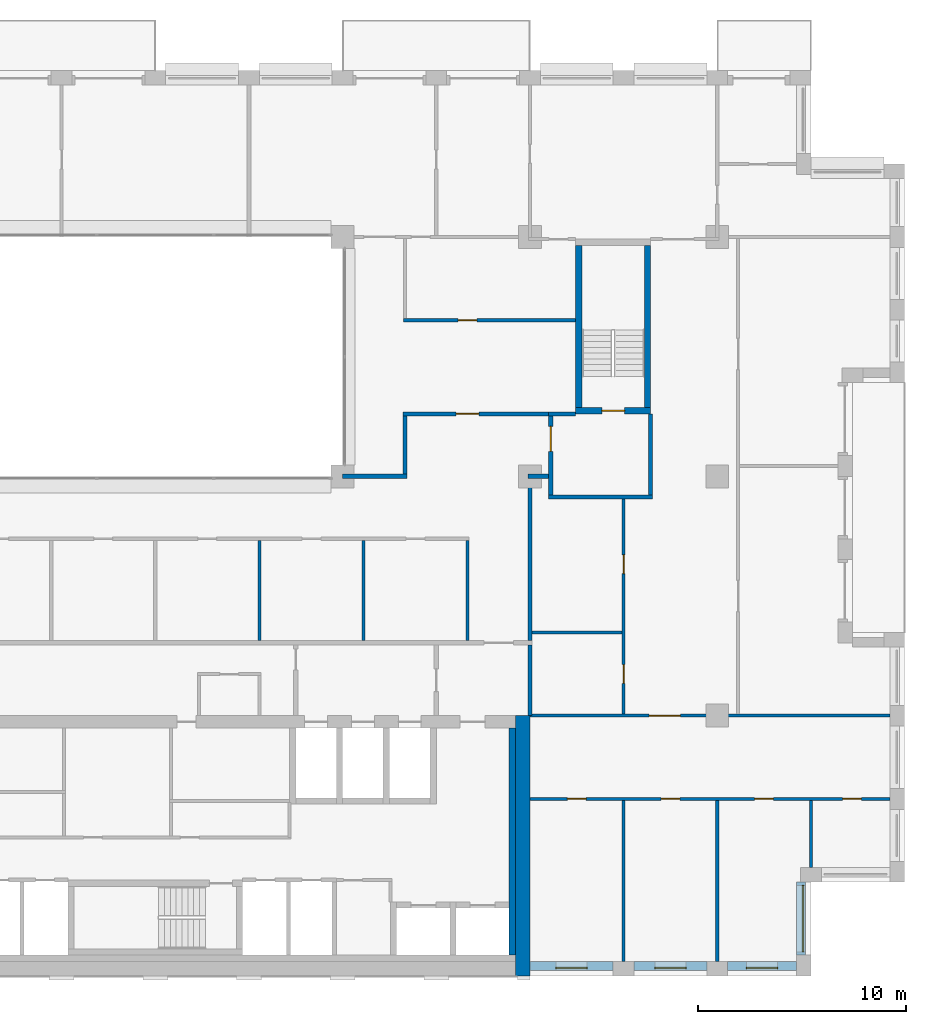
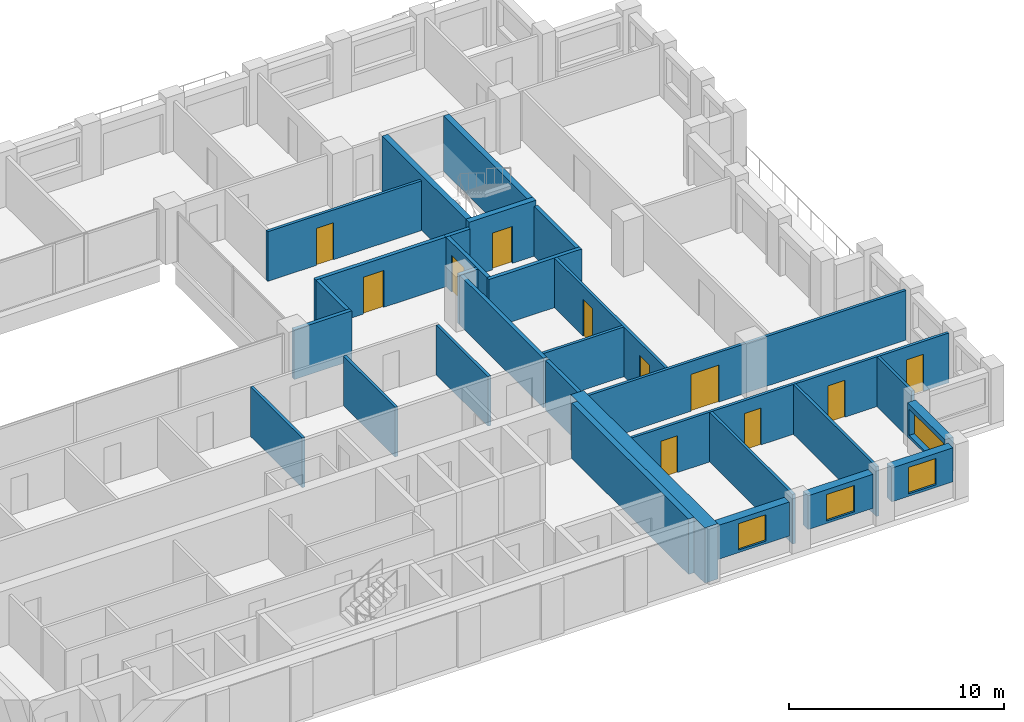
# One storey, part 11 of 15: 30 walls, 11 doors, 4 windows, 15 openings.
"""IFC4 building model written with IfcOpenShell, lengths in metres."""

from ifc_helpers import new_model, si_unit, direction, frame, frame_2d, origin, place, context, subcontext, project, spatial, rectangle, extrude, material, layer, layer_set, type_object, element, fill, save


model = new_model("IFC4")

# Units and contexts
model_context = context("Model", 3, precision=1e-05, world=origin(), true_north=direction((0.0, 1.0)))
body_context = subcontext(model_context, "Body", "Model", "MODEL_VIEW")
ifc_project = project(units=[si_unit("LENGTHUNIT", "METRE"), si_unit("AREAUNIT", "SQUARE_METRE"), si_unit("VOLUMEUNIT", "CUBIC_METRE"), si_unit("PLANEANGLEUNIT", "RADIAN"), si_unit("MASSUNIT", "GRAM", prefix="KILO")], contexts=[model_context])

# Site, building, storey
site_placement = place(None, origin())
site = spatial("IfcSite", under=ifc_project, at=site_placement, CompositionType="ELEMENT")
building_placement = place(site_placement, origin())
building = spatial("IfcBuilding", under=site, at=building_placement, Name="Brigalow Station Residences", CompositionType="ELEMENT")
storey_placement = place(building_placement, frame((0.0, 0.0, 153.89990234375)))
storey = spatial("IfcBuildingStorey", under=building, at=storey_placement, Name="L44", CompositionType="ELEMENT", Elevation=153.89990234375)

# Wall, opening, window
ifc_material_1 = material(Name="Clay brick masonry", Category="masonry")
ifc_layer_1 = layer(ifc_material_1, 0.449951171875)
ifc_layer_set_1 = layer_set([ifc_layer_1], Name="BRICK INFILL WALL 450")
wall_type_1 = type_object("IfcWallType", Name="BRICK INFILL WALL 450", PredefinedType="SOLIDWALL", material=ifc_layer_set_1)
wall_1_placement = place(storey_placement, frame((54.0, 0.47509765625, 0.900146484375), z_axis=(0.0, 0.0, 1.0), x_axis=(1.0, 0.0, 0.0)))
wall_1 = element("IfcWall", 1, at=wall_1_placement, inside=storey, type_object=wall_type_1, Name="L44/ewall/W-L44-4", PredefinedType="SOLIDWALL", context=body_context, shape_type="SweptSolid", body=[
    extrude(rectangle(XDim=4.0, YDim=0.449951171875, at=frame_2d((2.0, 0.0))), origin(), (0.0, 0.0, 1.0), 1.929931640625),
])
opening_1_placement = place(wall_1_placement, frame((1.25, 0.0, 0.14990234375)))
opening_1 = element("IfcOpeningElement", 2, at=opening_1_placement, cuts=wall_1, Name="Opening WT-1", PredefinedType="OPENING", context=body_context, shape_type="SweptSolid", body=[
    extrude(rectangle(XDim=1.5, YDim=1.5, at=frame_2d((0.75, 0.75))), frame((0.0, 0.23486328125, 0.0), z_axis=(0.0, -1.0, 0.0), x_axis=(1.0, 0.0, 0.0)), (0.0, 0.0, 1.0), 0.469970703125),
])
ifc_material_2 = material(Name="Anodised aluminium frame with double glazing", Category="aluminium")
window_type_1 = type_object("IfcWindowType", Name="WINDOW 1500x1500", PartitioningType="SINGLE_PANEL", PredefinedType="WINDOW", material=ifc_material_2)
window_1_placement = place(opening_1_placement, origin())
window_1 = element("IfcWindow", 3, at=window_1_placement, inside=storey, type_object=window_type_1, Name="L44/window/W-L44-4", OverallHeight=1.5, OverallWidth=1.5, PartitioningType="SINGLE_PANEL", PredefinedType="WINDOW", context=body_context, shape_type="SweptSolid", body=[
    extrude(rectangle(XDim=1.5, YDim=1.5, at=frame_2d((0.75, 0.75))), frame((0.0, -0.06494140625, 0.0), z_axis=(0.0, -1.0, 0.0), x_axis=(1.0, 0.0, 0.0)), (0.0, 0.0, 1.0), 0.06005859375),
])
fill(opening_1, window_1)

wall_2_placement = place(storey_placement, frame((59.0, 0.47509765625, 0.900146484375), z_axis=(0.0, 0.0, 1.0), x_axis=(1.0, 0.0, 0.0)))
wall_2 = element("IfcWall", 4, at=wall_2_placement, inside=storey, type_object=wall_type_1, Name="L44/ewall/W-L44-5", PredefinedType="SOLIDWALL", context=body_context, shape_type="SweptSolid", body=[
    extrude(rectangle(XDim=3.5, YDim=0.449951171875, at=frame_2d((1.75, 0.0))), origin(), (0.0, 0.0, 1.0), 1.929931640625),
])
opening_2_placement = place(wall_2_placement, frame((1.0, 0.0, 0.14990234375)))
opening_2 = element("IfcOpeningElement", 5, at=opening_2_placement, cuts=wall_2, Name="Opening WT-1", PredefinedType="OPENING", context=body_context, shape_type="SweptSolid", body=[
    extrude(rectangle(XDim=1.5, YDim=1.5, at=frame_2d((0.75, 0.75))), frame((0.0, 0.23486328125, 0.0), z_axis=(0.0, -1.0, 0.0), x_axis=(1.0, 0.0, 0.0)), (0.0, 0.0, 1.0), 0.469970703125),
])
window_2_placement = place(opening_2_placement, origin())
window_2 = element("IfcWindow", 6, at=window_2_placement, inside=storey, type_object=window_type_1, Name="L44/window/W-L44-5", OverallHeight=1.5, OverallWidth=1.5, PartitioningType="SINGLE_PANEL", PredefinedType="WINDOW", context=body_context, shape_type="SweptSolid", body=[
    extrude(rectangle(XDim=1.5, YDim=1.5, at=frame_2d((0.75, 0.75))), frame((0.0, -0.06494140625, 0.0), z_axis=(0.0, -1.0, 0.0), x_axis=(1.0, 0.0, 0.0)), (0.0, 0.0, 1.0), 0.06005859375),
])
fill(opening_2, window_2)

wall_3_placement = place(storey_placement, frame((63.5, 0.47509765625, 0.900146484375), z_axis=(0.0, 0.0, 1.0), x_axis=(1.0, 0.0, 0.0)))
wall_3 = element("IfcWall", 7, at=wall_3_placement, inside=storey, type_object=wall_type_1, Name="L44/ewall/W-L44-6", PredefinedType="SOLIDWALL", context=body_context, shape_type="SweptSolid", body=[
    extrude(rectangle(XDim=3.300048828125, YDim=0.449951171875, at=frame_2d((1.64990234375, 0.0))), origin(), (0.0, 0.0, 1.0), 1.929931640625),
])
opening_3_placement = place(wall_3_placement, frame((0.89990234375, 0.0, 0.14990234375)))
opening_3 = element("IfcOpeningElement", 8, at=opening_3_placement, cuts=wall_3, Name="Opening WT-1", PredefinedType="OPENING", context=body_context, shape_type="SweptSolid", body=[
    extrude(rectangle(XDim=1.5, YDim=1.5, at=frame_2d((0.75, 0.75))), frame((0.0, 0.23486328125, 0.0), z_axis=(0.0, -1.0, 0.0), x_axis=(1.0, 0.0, 0.0)), (0.0, 0.0, 1.0), 0.469970703125),
])
window_3_placement = place(opening_3_placement, origin())
window_3 = element("IfcWindow", 9, at=window_3_placement, inside=storey, type_object=window_type_1, Name="L44/window/W-L44-6", OverallHeight=1.5, OverallWidth=1.5, PartitioningType="SINGLE_PANEL", PredefinedType="WINDOW", context=body_context, shape_type="SweptSolid", body=[
    extrude(rectangle(XDim=1.5, YDim=1.5, at=frame_2d((0.75, 0.75))), frame((0.0, -0.06494140625, 0.0), z_axis=(0.0, -1.0, 0.0), x_axis=(1.0, 0.0, 0.0)), (0.0, 0.0, 1.0), 0.06005859375),
])
fill(opening_3, window_3)

wall_4_placement = place(storey_placement, frame((67.02490234375, 1.0, 0.900146484375), z_axis=(0.0, 0.0, 1.0), x_axis=(0.0, 1.0, 0.0)))
wall_4 = element("IfcWall", 10, at=wall_4_placement, inside=storey, type_object=wall_type_1, Name="L44/ewall/W-L44-7", PredefinedType="SOLIDWALL", context=body_context, shape_type="SweptSolid", body=[
    extrude(rectangle(XDim=3.5, YDim=0.449951171875, at=frame_2d((1.75, 0.0))), origin(), (0.0, 0.0, 1.0), 1.929931640625),
])
opening_4_placement = place(wall_4_placement, frame((0.14990234375, 0.0, 0.14990234375)))
opening_4 = element("IfcOpeningElement", 11, at=opening_4_placement, cuts=wall_4, Name="Opening WT-9", PredefinedType="OPENING", context=body_context, shape_type="SweptSolid", body=[
    extrude(rectangle(XDim=3.199951171875, YDim=1.5, at=frame_2d((1.60009765625, 0.75))), frame((0.0, 0.23486328125, 0.0), z_axis=(0.0, -1.0, 0.0), x_axis=(1.0, 0.0, 0.0)), (0.0, 0.0, 1.0), 0.469970703125),
])
ifc_material_3 = material(Name="Anodised aluminium frame with double glazing", Category="aluminium")
window_type_2 = type_object("IfcWindowType", Name="WINDOW 3200x1500", PartitioningType="SINGLE_PANEL", PredefinedType="WINDOW", material=ifc_material_3)
window_4_placement = place(opening_4_placement, origin())
window_4 = element("IfcWindow", 12, at=window_4_placement, inside=storey, type_object=window_type_2, Name="L44/window/W-L44-7", OverallHeight=1.5, OverallWidth=3.199951171875, PartitioningType="SINGLE_PANEL", PredefinedType="WINDOW", context=body_context, shape_type="SweptSolid", body=[
    extrude(rectangle(XDim=3.199951171875, YDim=1.5, at=frame_2d((1.60009765625, 0.75))), frame((0.0, -0.06494140625, 0.0), z_axis=(0.0, -1.0, 0.0), x_axis=(1.0, 0.0, 0.0)), (0.0, 0.0, 1.0), 0.06005859375),
])
fill(opening_4, window_4)

# Wall
ifc_material_4 = material(Name="Concrete C65", Category="concrete")
ifc_layer_2 = layer(ifc_material_4, 0.300048828125)
ifc_layer_set_2 = layer_set([ifc_layer_2], Name="CORE SHEAR WALL 300 C65")
wall_type_2 = type_object("IfcWallType", Name="CORE SHEAR WALL 300 C65", PredefinedType="SHEAR", material=ifc_layer_set_2)
wall_5_placement = place(storey_placement, frame((53.14990234375, 1.0, 0.0), z_axis=(0.0, 0.0, 1.0), x_axis=(0.0, 1.0, 0.0)))
element("IfcWall", 13, at=wall_5_placement, inside=storey, type_object=wall_type_2, Name="CORE WALL LIN-E L44", PredefinedType="SHEAR", context=body_context, shape_type="SweptSolid", body=[
    extrude(rectangle(XDim=10.89990234375, YDim=0.300048828125, at=frame_2d((5.449951171875, 0.0))), origin(), (0.0, 0.0, 1.0), 3.150146484375),
])

# Wall, opening, door
wall_6_placement = place(storey_placement, frame((56.199951171875, 27.14990234375, 0.0), z_axis=(0.0, 0.0, 1.0), x_axis=(1.0, 0.0, 0.0)))
wall_6 = element("IfcWall", 14, at=wall_6_placement, inside=storey, type_object=wall_type_2, Name="CORE WALL ST-S3-S L44", PredefinedType="SHEAR", context=body_context, shape_type="SweptSolid", body=[
    extrude(rectangle(XDim=3.60009765625, YDim=0.300048828125, at=frame_2d((1.800048828125, 0.0))), origin(), (0.0, 0.0, 1.0), 3.150146484375),
])
opening_5_placement = place(wall_6_placement, frame((1.25, 0.0, 0.0)))
opening_5 = element("IfcOpeningElement", 15, at=opening_5_placement, cuts=wall_6, Name="Opening D-5018", PredefinedType="OPENING", context=body_context, shape_type="SweptSolid", body=[
    extrude(rectangle(XDim=1.10009765625, YDim=2.10009765625, at=frame_2d((0.550048828125, 1.050048828125))), frame((0.0, 0.16015625, 0.0), z_axis=(0.0, -1.0, 0.0), x_axis=(1.0, 0.0, 0.0)), (0.0, 0.0, 1.0), 0.320068359375),
])
ifc_material_5 = material(Name="Steel fire door leaf in steel frame", Category="steel")
door_type_1 = type_object("IfcDoorType", Name="STAIR DOOR 1100 x 2100 FD60S", OperationType="SINGLE_SWING_LEFT", PredefinedType="DOOR", material=ifc_material_5)
door_1_placement = place(opening_5_placement, origin())
door_1 = element("IfcDoor", 16, at=door_1_placement, inside=storey, type_object=door_type_1, Name="D-5018", OperationType="SINGLE_SWING_LEFT", OverallHeight=2.10009765625, OverallWidth=1.10009765625, PredefinedType="DOOR", context=body_context, shape_type="SweptSolid", body=[
    extrude(rectangle(XDim=1.10009765625, YDim=2.10009765625, at=frame_2d((0.550048828125, 1.050048828125))), frame((0.0, 0.02490234375, 0.0), z_axis=(0.0, -1.0, 0.0), x_axis=(1.0, 0.0, 0.0)), (0.0, 0.0, 1.0), 0.050048828125),
])
fill(opening_5, door_1)

# Walls
for number, where, z_axis, x_axis, name in (
    (17, (56.35009765625, 27.300048828125, 0.0), (0.0, 0.0, 1.0), (0.0, 1.0, 0.0), "CORE WALL ST-S3-W L44"),
    (18, (59.64990234375, 27.300048828125, 0.0), (0.0, 0.0, 1.0), (0.0, 1.0, 0.0), "CORE WALL ST-S3-E L44"),
):
    element("IfcWall", number, at=place(storey_placement, frame(where, z_axis=z_axis, x_axis=x_axis)), inside=storey, type_object=wall_type_2, Name=name, PredefinedType="SHEAR", context=body_context, shape_type="SweptSolid", body=[
        extrude(rectangle(XDim=7.800048828125, YDim=0.300048828125, at=frame_2d((3.89990234375, 0.0))), origin(), (0.0, 0.0, 1.0), 3.150146484375),
    ])
ifc_material_6 = material(Name="Concrete C65", Category="concrete")
ifc_layer_3 = layer(ifc_material_6, 0.699951171875)
ifc_layer_set_3 = layer_set([ifc_layer_3], Name="CORE SHEAR WALL 700 C65")
wall_type_3 = type_object("IfcWallType", Name="CORE SHEAR WALL 700 C65", PredefinedType="SHEAR", material=ifc_layer_set_3)
wall_7_placement = place(storey_placement, frame((53.64990234375, 0.0, 0.0), z_axis=(0.0, 0.0, 1.0), x_axis=(0.0, 1.0, 0.0)))
element("IfcWall", 19, at=wall_7_placement, inside=storey, type_object=wall_type_3, Name="CORE WALL OUT-E L44", PredefinedType="SHEAR", context=body_context, shape_type="SweptSolid", body=[
    extrude(rectangle(XDim=12.5, YDim=0.699951171875, at=frame_2d((6.25, 0.0))), origin(), (0.0, 0.0, 1.0), 3.150146484375),
])
ifc_material_7 = material(Name="Concrete blockwork", Category="masonry")
ifc_layer_4 = layer(ifc_material_7, 0.199951171875)
ifc_layer_set_4 = layer_set([ifc_layer_4], Name="FIRE RATED CORE PARTITION 200")
wall_type_4 = type_object("IfcWallType", Name="FIRE RATED CORE PARTITION 200", PredefinedType="PARTITIONING", material=ifc_layer_set_4)
wall_8_placement = place(storey_placement, frame((54.89990234375, 23.0, 0.0), z_axis=(0.0, 0.0, 1.0), x_axis=(1.0, 0.0, 0.0)))
element("IfcWall", 20, at=wall_8_placement, inside=storey, type_object=wall_type_4, Name="PW-5024", PredefinedType="PARTITIONING", context=body_context, shape_type="SweptSolid", body=[
    extrude(rectangle(XDim=5.0, YDim=0.199951171875, at=frame_2d((2.5, 0.0))), origin(), (0.0, 0.0, 1.0), 2.830078125),
])
wall_9_placement = place(storey_placement, frame((54.89990234375, 27.0, 0.0), z_axis=(0.0, 0.0, 1.0), x_axis=(1.0, 0.0, 0.0)))
element("IfcWall", 21, at=wall_9_placement, inside=storey, type_object=wall_type_4, Name="PW-5026", PredefinedType="PARTITIONING", context=body_context, shape_type="SweptSolid", body=[
    extrude(rectangle(XDim=1.300048828125, YDim=0.199951171875, at=frame_2d((0.64990234375, 0.0))), origin(), (0.0, 0.0, 1.0), 2.830078125),
])
wall_10_placement = place(storey_placement, frame((54.0, 12.5, 0.0), z_axis=(0.0, 0.0, 1.0), x_axis=(0.0, 1.0, 0.0)))
element("IfcWall", 22, at=wall_10_placement, inside=storey, type_object=wall_type_4, Name="PW-5016", PredefinedType="PARTITIONING", context=body_context, shape_type="SweptSolid", body=[
    extrude(rectangle(XDim=3.39990234375, YDim=0.199951171875, at=frame_2d((1.699951171875, 0.0))), origin(), (0.0, 0.0, 1.0), 2.830078125),
])

# Wall, opening, door
wall_11_placement = place(storey_placement, frame((55.0, 23.10009765625, 0.0), z_axis=(0.0, 0.0, 1.0), x_axis=(0.0, 1.0, 0.0)))
wall_11 = element("IfcWall", 23, at=wall_11_placement, inside=storey, type_object=wall_type_4, Name="PW-5036", PredefinedType="PARTITIONING", context=body_context, shape_type="SweptSolid", body=[
    extrude(rectangle(XDim=3.7998046875, YDim=0.199951171875, at=frame_2d((1.89990234375, 0.0))), origin(), (0.0, 0.0, 1.0), 2.830078125),
])
opening_6_placement = place(wall_11_placement, frame((2.10009765625, 0.0, 0.0)))
opening_6 = element("IfcOpeningElement", 24, at=opening_6_placement, cuts=wall_11, Name="Opening D-5019", PredefinedType="OPENING", context=body_context, shape_type="SweptSolid", body=[
    extrude(rectangle(XDim=1.199951171875, YDim=2.10009765625, at=frame_2d((0.60009765625, 1.050048828125))), frame((0.0, 0.10986328125, 0.0), z_axis=(0.0, -1.0, 0.0), x_axis=(1.0, 0.0, 0.0)), (0.0, 0.0, 1.0), 0.219970703125),
])
ifc_material_8 = material(Name="Steel fire door leaf in steel frame", Category="steel")
door_type_2 = type_object("IfcDoorType", Name="STAIR LOBBY DOOR 1200 x 2100 FD60S", OperationType="SINGLE_SWING_LEFT", PredefinedType="DOOR", material=ifc_material_8)
door_2_placement = place(opening_6_placement, frame((1.199951171875, 0.0, 0.0), z_axis=(0.0, 0.0, 1.0), x_axis=(-1.0, 0.0, 0.0)))
door_2 = element("IfcDoor", 25, at=door_2_placement, inside=storey, type_object=door_type_2, Name="D-5019", OperationType="SINGLE_SWING_LEFT", OverallHeight=2.10009765625, OverallWidth=1.199951171875, PredefinedType="DOOR", context=body_context, shape_type="SweptSolid", body=[
    extrude(rectangle(XDim=1.199951171875, YDim=2.10009765625, at=frame_2d((0.60009765625, 1.050048828125))), frame((0.0, 0.02490234375, 0.0), z_axis=(0.0, -1.0, 0.0), x_axis=(1.0, 0.0, 0.0)), (0.0, 0.0, 1.0), 0.050048828125),
])
fill(opening_6, door_2)

# Wall
wall_12_placement = place(storey_placement, frame((59.800048828125, 23.10009765625, 0.0), z_axis=(0.0, 0.0, 1.0), x_axis=(0.0, 1.0, 0.0)))
element("IfcWall", 26, at=wall_12_placement, inside=storey, type_object=wall_type_4, Name="PW-5037", PredefinedType="PARTITIONING", context=body_context, shape_type="SweptSolid", body=[
    extrude(rectangle(XDim=3.89990234375, YDim=0.199951171875, at=frame_2d((1.949951171875, 0.0))), origin(), (0.0, 0.0, 1.0), 2.830078125),
])

# Wall, opening, door
ifc_material_9 = material(Name="Plasterboard on steel stud partition", Category="steel")
ifc_layer_5 = layer(ifc_material_9, 0.14990234375)
ifc_layer_set_5 = layer_set([ifc_layer_5], Name="FLAT PARTITION 150")
wall_type_5 = type_object("IfcWallType", Name="FLAT PARTITION 150", PredefinedType="PARTITIONING", material=ifc_layer_set_5)
wall_13_placement = place(storey_placement, frame((47.925048828125, 31.5, 0.0), z_axis=(0.0, 0.0, 1.0), x_axis=(1.0, 0.0, 0.0)))
wall_13 = element("IfcWall", 27, at=wall_13_placement, inside=storey, type_object=wall_type_5, Name="PW-3B09", PredefinedType="PARTITIONING", context=body_context, shape_type="SweptSolid", body=[
    extrude(rectangle(XDim=8.27490234375, YDim=0.14990234375, at=frame_2d((4.137451171875, 0.0))), origin(), (0.0, 0.0, 1.0), 2.830078125),
])
opening_7_placement = place(wall_13_placement, frame((2.625, 0.0, 0.0)))
opening_7 = element("IfcOpeningElement", 28, at=opening_7_placement, cuts=wall_13, Name="Opening D-3B18", PredefinedType="OPENING", context=body_context, shape_type="SweptSolid", body=[
    extrude(rectangle(XDim=0.89990234375, YDim=2.10009765625, at=frame_2d((0.449951171875, 1.050048828125))), frame((0.0, 0.0849609375, 0.0), z_axis=(0.0, -1.0, 0.0), x_axis=(1.0, 0.0, 0.0)), (0.0, 0.0, 1.0), 0.169921875),
])
ifc_material_10 = material(Name="Solid-core timber door leaf", Category="wood")
door_type_3 = type_object("IfcDoorType", Name="INTERNAL DOOR 900 x 2100", OperationType="SINGLE_SWING_LEFT", PredefinedType="DOOR", material=ifc_material_10)
door_3_placement = place(opening_7_placement, origin())
door_3 = element("IfcDoor", 29, at=door_3_placement, inside=storey, type_object=door_type_3, Name="D-3B18", OperationType="SINGLE_SWING_LEFT", OverallHeight=2.10009765625, OverallWidth=0.89990234375, PredefinedType="DOOR", context=body_context, shape_type="SweptSolid", body=[
    extrude(rectangle(XDim=0.89990234375, YDim=2.10009765625, at=frame_2d((0.449951171875, 1.050048828125))), frame((0.0, 0.02490234375, 0.0), z_axis=(0.0, -1.0, 0.0), x_axis=(1.0, 0.0, 0.0)), (0.0, 0.0, 1.0), 0.050048828125),
])
fill(opening_7, door_3)

# Wall
wall_14_placement = place(storey_placement, frame((54.10009765625, 16.5, 0.0), z_axis=(0.0, 0.0, 1.0), x_axis=(1.0, 0.0, 0.0)))
element("IfcWall", 30, at=wall_14_placement, inside=storey, type_object=wall_type_5, Name="PW-3B20", PredefinedType="PARTITIONING", context=body_context, shape_type="SweptSolid", body=[
    extrude(rectangle(XDim=4.324951171875, YDim=0.14990234375, at=frame_2d((2.16259765625, 0.0))), origin(), (0.0, 0.0, 1.0), 2.830078125),
])

# Wall, openings, doors
wall_15_placement = place(storey_placement, frame((54.0, 8.5, 0.0), z_axis=(0.0, 0.0, 1.0), x_axis=(1.0, 0.0, 0.0)))
wall_15 = element("IfcWall", 31, at=wall_15_placement, inside=storey, type_object=wall_type_5, Name="PW-3B22", PredefinedType="PARTITIONING", context=body_context, shape_type="SweptSolid", body=[
    extrude(rectangle(XDim=17.300048828125, YDim=0.14990234375, at=frame_2d((8.64990234375, 0.0))), origin(), (0.0, 0.0, 1.0), 2.830078125),
])
opening_8_placement = place(wall_15_placement, frame((1.800048828125, 0.0, 0.0)))
opening_8 = element("IfcOpeningElement", 32, at=opening_8_placement, cuts=wall_15, Name="Opening D-3B32", PredefinedType="OPENING", context=body_context, shape_type="SweptSolid", body=[
    extrude(rectangle(XDim=0.89990234375, YDim=2.10009765625, at=frame_2d((0.449951171875, 1.050048828125))), frame((0.0, 0.0849609375, 0.0), z_axis=(0.0, -1.0, 0.0), x_axis=(1.0, 0.0, 0.0)), (0.0, 0.0, 1.0), 0.169921875),
])
opening_9_placement = place(wall_15_placement, frame((6.300048828125, 0.0, 0.0)))
opening_9 = element("IfcOpeningElement", 33, at=opening_9_placement, cuts=wall_15, Name="Opening D-3B33", PredefinedType="OPENING", context=body_context, shape_type="SweptSolid", body=[
    extrude(rectangle(XDim=0.89990234375, YDim=2.10009765625, at=frame_2d((0.449951171875, 1.050048828125))), frame((0.0, 0.0849609375, 0.0), z_axis=(0.0, -1.0, 0.0), x_axis=(1.0, 0.0, 0.0)), (0.0, 0.0, 1.0), 0.169921875),
])
opening_10_placement = place(wall_15_placement, frame((10.800048828125, 0.0, 0.0)))
opening_10 = element("IfcOpeningElement", 34, at=opening_10_placement, cuts=wall_15, Name="Opening D-3B34", PredefinedType="OPENING", context=body_context, shape_type="SweptSolid", body=[
    extrude(rectangle(XDim=0.89990234375, YDim=2.10009765625, at=frame_2d((0.449951171875, 1.050048828125))), frame((0.0, 0.0849609375, 0.0), z_axis=(0.0, -1.0, 0.0), x_axis=(1.0, 0.0, 0.0)), (0.0, 0.0, 1.0), 0.169921875),
])
opening_11_placement = place(wall_15_placement, frame((15.02490234375, 0.0, 0.0)))
opening_11 = element("IfcOpeningElement", 35, at=opening_11_placement, cuts=wall_15, Name="Opening D-3B35", PredefinedType="OPENING", context=body_context, shape_type="SweptSolid", body=[
    extrude(rectangle(XDim=0.89990234375, YDim=2.10009765625, at=frame_2d((0.449951171875, 1.050048828125))), frame((0.0, 0.0849609375, 0.0), z_axis=(0.0, -1.0, 0.0), x_axis=(1.0, 0.0, 0.0)), (0.0, 0.0, 1.0), 0.169921875),
])
door_4_placement = place(opening_8_placement, frame((0.89990234375, 0.0, 0.0), z_axis=(0.0, 0.0, 1.0), x_axis=(-1.0, 0.0, 0.0)))
door_4 = element("IfcDoor", 36, at=door_4_placement, inside=storey, type_object=door_type_3, Name="D-3B32", OperationType="SINGLE_SWING_LEFT", OverallHeight=2.10009765625, OverallWidth=0.89990234375, PredefinedType="DOOR", context=body_context, shape_type="SweptSolid", body=[
    extrude(rectangle(XDim=0.89990234375, YDim=2.10009765625, at=frame_2d((0.449951171875, 1.050048828125))), frame((0.0, 0.02490234375, 0.0), z_axis=(0.0, -1.0, 0.0), x_axis=(1.0, 0.0, 0.0)), (0.0, 0.0, 1.0), 0.050048828125),
])
fill(opening_8, door_4)
door_5_placement = place(opening_9_placement, frame((0.89990234375, 0.0, 0.0), z_axis=(0.0, 0.0, 1.0), x_axis=(-1.0, 0.0, 0.0)))
door_5 = element("IfcDoor", 37, at=door_5_placement, inside=storey, type_object=door_type_3, Name="D-3B33", OperationType="SINGLE_SWING_RIGHT", OverallHeight=2.10009765625, OverallWidth=0.89990234375, PredefinedType="DOOR", context=body_context, shape_type="SweptSolid", body=[
    extrude(rectangle(XDim=0.89990234375, YDim=2.10009765625, at=frame_2d((0.449951171875, 1.050048828125))), frame((0.0, 0.02490234375, 0.0), z_axis=(0.0, -1.0, 0.0), x_axis=(1.0, 0.0, 0.0)), (0.0, 0.0, 1.0), 0.050048828125),
])
fill(opening_9, door_5)
door_6_placement = place(opening_10_placement, frame((0.89990234375, 0.0, 0.0), z_axis=(0.0, 0.0, 1.0), x_axis=(-1.0, 0.0, 0.0)))
door_6 = element("IfcDoor", 38, at=door_6_placement, inside=storey, type_object=door_type_3, Name="D-3B34", OperationType="SINGLE_SWING_RIGHT", OverallHeight=2.10009765625, OverallWidth=0.89990234375, PredefinedType="DOOR", context=body_context, shape_type="SweptSolid", body=[
    extrude(rectangle(XDim=0.89990234375, YDim=2.10009765625, at=frame_2d((0.449951171875, 1.050048828125))), frame((0.0, 0.02490234375, 0.0), z_axis=(0.0, -1.0, 0.0), x_axis=(1.0, 0.0, 0.0)), (0.0, 0.0, 1.0), 0.050048828125),
])
fill(opening_10, door_6)
door_7_placement = place(opening_11_placement, frame((0.89990234375, 0.0, 0.0), z_axis=(0.0, 0.0, 1.0), x_axis=(-1.0, 0.0, 0.0)))
door_7 = element("IfcDoor", 39, at=door_7_placement, inside=storey, type_object=door_type_3, Name="D-3B35", OperationType="SINGLE_SWING_LEFT", OverallHeight=2.10009765625, OverallWidth=0.89990234375, PredefinedType="DOOR", context=body_context, shape_type="SweptSolid", body=[
    extrude(rectangle(XDim=0.89990234375, YDim=2.10009765625, at=frame_2d((0.449951171875, 1.050048828125))), frame((0.0, 0.02490234375, 0.0), z_axis=(0.0, -1.0, 0.0), x_axis=(1.0, 0.0, 0.0)), (0.0, 0.0, 1.0), 0.050048828125),
])
fill(opening_11, door_7)

# Wall, opening, door
wall_16_placement = place(storey_placement, frame((54.0, 12.5, 0.0), z_axis=(0.0, 0.0, 1.0), x_axis=(1.0, 0.0, 0.0)))
wall_16 = element("IfcWall", 40, at=wall_16_placement, inside=storey, type_object=wall_type_5, Name="PW-3B24", PredefinedType="PARTITIONING", context=body_context, shape_type="SweptSolid", body=[
    extrude(rectangle(XDim=17.300048828125, YDim=0.14990234375, at=frame_2d((8.64990234375, 0.0))), origin(), (0.0, 0.0, 1.0), 2.830078125),
])
opening_12_placement = place(wall_16_placement, frame((5.72509765625, 0.0, 0.0)))
opening_12 = element("IfcOpeningElement", 41, at=opening_12_placement, cuts=wall_16, Name="Opening D-3B31", PredefinedType="OPENING", context=body_context, shape_type="SweptSolid", body=[
    extrude(rectangle(XDim=1.5, YDim=2.10009765625, at=frame_2d((0.75, 1.050048828125))), frame((0.0, 0.0849609375, 0.0), z_axis=(0.0, -1.0, 0.0), x_axis=(1.0, 0.0, 0.0)), (0.0, 0.0, 1.0), 0.169921875),
])
ifc_material_11 = material(Name="Solid-core timber door leaf", Category="wood")
door_type_4 = type_object("IfcDoorType", Name="INTERNAL DOUBLE DOOR 1500 x 2100", OperationType="DOUBLE_DOOR_SINGLE_SWING", PredefinedType="DOOR", material=ifc_material_11)
door_8_placement = place(opening_12_placement, frame((1.5, 0.0, 0.0), z_axis=(0.0, 0.0, 1.0), x_axis=(-1.0, 0.0, 0.0)))
door_8 = element("IfcDoor", 42, at=door_8_placement, inside=storey, type_object=door_type_4, Name="D-3B31", OperationType="DOUBLE_DOOR_SINGLE_SWING", OverallHeight=2.10009765625, OverallWidth=1.5, PredefinedType="DOOR", context=body_context, shape_type="SweptSolid", body=[
    extrude(rectangle(XDim=1.5, YDim=2.10009765625, at=frame_2d((0.75, 1.050048828125))), frame((0.0, 0.02490234375, 0.0), z_axis=(0.0, -1.0, 0.0), x_axis=(1.0, 0.0, 0.0)), (0.0, 0.0, 1.0), 0.050048828125),
])
fill(opening_12, door_8)

# Walls
wall_17_placement = place(storey_placement, frame((51.0, 16.10009765625, 0.0), z_axis=(0.0, 0.0, 1.0), x_axis=(0.0, 1.0, 0.0)))
element("IfcWall", 43, at=wall_17_placement, inside=storey, type_object=wall_type_5, Name="PW-3B31", PredefinedType="PARTITIONING", context=body_context, shape_type="SweptSolid", body=[
    extrude(rectangle(XDim=4.824951171875, YDim=0.14990234375, at=frame_2d((2.41259765625, 0.0))), origin(), (0.0, 0.0, 1.0), 2.830078125),
])
for number, where, z_axis, x_axis, name in (
    (44, (63.0, 0.699951171875, 0.0), (0.0, 0.0, 1.0), (0.0, 1.0, 0.0), "PW-3B43"),
    (45, (58.5, 0.699951171875, 0.0), (0.0, 0.0, 1.0), (0.0, 1.0, 0.0), "PW-3B46"),
):
    element("IfcWall", number, at=place(storey_placement, frame(where, z_axis=z_axis, x_axis=x_axis)), inside=storey, type_object=wall_type_5, Name=name, PredefinedType="PARTITIONING", context=body_context, shape_type="SweptSolid", body=[
        extrude(rectangle(XDim=7.72509765625, YDim=0.14990234375, at=frame_2d((3.862548828125, 0.0))), origin(), (0.0, 0.0, 1.0), 2.830078125),
    ])

# Wall, openings, doors
wall_18_placement = place(storey_placement, frame((58.5, 12.574951171875, 0.0), z_axis=(0.0, 0.0, 1.0), x_axis=(0.0, 1.0, 0.0)))
wall_18 = element("IfcWall", 46, at=wall_18_placement, inside=storey, type_object=wall_type_5, Name="PW-3B47", PredefinedType="PARTITIONING", context=body_context, shape_type="SweptSolid", body=[
    extrude(rectangle(XDim=10.324951171875, YDim=0.14990234375, at=frame_2d((5.16259765625, 0.0))), origin(), (0.0, 0.0, 1.0), 2.830078125),
])
opening_13_placement = place(wall_18_placement, frame((6.75, 0.0, 0.0)))
opening_13 = element("IfcOpeningElement", 47, at=opening_13_placement, cuts=wall_18, Name="Opening D-3B29", PredefinedType="OPENING", context=body_context, shape_type="SweptSolid", body=[
    extrude(rectangle(XDim=0.89990234375, YDim=2.10009765625, at=frame_2d((0.449951171875, 1.050048828125))), frame((0.0, 0.0849609375, 0.0), z_axis=(0.0, -1.0, 0.0), x_axis=(1.0, 0.0, 0.0)), (0.0, 0.0, 1.0), 0.169921875),
])
opening_14_placement = place(wall_18_placement, frame((1.47509765625, 0.0, 0.0)))
opening_14 = element("IfcOpeningElement", 48, at=opening_14_placement, cuts=wall_18, Name="Opening D-3B30", PredefinedType="OPENING", context=body_context, shape_type="SweptSolid", body=[
    extrude(rectangle(XDim=0.89990234375, YDim=2.10009765625, at=frame_2d((0.449951171875, 1.050048828125))), frame((0.0, 0.0849609375, 0.0), z_axis=(0.0, -1.0, 0.0), x_axis=(1.0, 0.0, 0.0)), (0.0, 0.0, 1.0), 0.169921875),
])
door_9_placement = place(opening_13_placement, origin())
door_9 = element("IfcDoor", 49, at=door_9_placement, inside=storey, type_object=door_type_3, Name="D-3B29", OperationType="SINGLE_SWING_RIGHT", OverallHeight=2.10009765625, OverallWidth=0.89990234375, PredefinedType="DOOR", context=body_context, shape_type="SweptSolid", body=[
    extrude(rectangle(XDim=0.89990234375, YDim=2.10009765625, at=frame_2d((0.449951171875, 1.050048828125))), frame((0.0, 0.02490234375, 0.0), z_axis=(0.0, -1.0, 0.0), x_axis=(1.0, 0.0, 0.0)), (0.0, 0.0, 1.0), 0.050048828125),
])
fill(opening_13, door_9)
door_10_placement = place(opening_14_placement, origin())
door_10 = element("IfcDoor", 50, at=door_10_placement, inside=storey, type_object=door_type_3, Name="D-3B30", OperationType="SINGLE_SWING_RIGHT", OverallHeight=2.10009765625, OverallWidth=0.89990234375, PredefinedType="DOOR", context=body_context, shape_type="SweptSolid", body=[
    extrude(rectangle(XDim=0.89990234375, YDim=2.10009765625, at=frame_2d((0.449951171875, 1.050048828125))), frame((0.0, 0.02490234375, 0.0), z_axis=(0.0, -1.0, 0.0), x_axis=(1.0, 0.0, 0.0)), (0.0, 0.0, 1.0), 0.050048828125),
])
fill(opening_14, door_10)

# Walls
wall_19_placement = place(storey_placement, frame((67.5, 5.199951171875, 0.0), z_axis=(0.0, 0.0, 1.0), x_axis=(0.0, 1.0, 0.0)))
element("IfcWall", 51, at=wall_19_placement, inside=storey, type_object=wall_type_5, Name="PW-3B48", PredefinedType="PARTITIONING", context=body_context, shape_type="SweptSolid", body=[
    extrude(rectangle(XDim=3.22509765625, YDim=0.14990234375, at=frame_2d((1.612548828125, 0.0))), origin(), (0.0, 0.0, 1.0), 2.830078125),
])
for number, where, z_axis, x_axis, name in (
    (52, (41.0, 16.10009765625, 0.0), (0.0, 0.0, 1.0), (0.0, 1.0, 0.0), "PW-3B52"),
    (53, (46.0, 16.10009765625, 0.0), (0.0, 0.0, 1.0), (0.0, 1.0, 0.0), "PW-3B53"),
):
    element("IfcWall", number, at=place(storey_placement, frame(where, z_axis=z_axis, x_axis=x_axis)), inside=storey, type_object=wall_type_5, Name=name, PredefinedType="PARTITIONING", context=body_context, shape_type="SweptSolid", body=[
        extrude(rectangle(XDim=4.824951171875, YDim=0.14990234375, at=frame_2d((2.41259765625, 0.0))), origin(), (0.0, 0.0, 1.0), 2.830078125),
    ])
ifc_material_12 = material(Name="Plasterboard on steel stud partition", Category="steel")
ifc_layer_6 = layer(ifc_material_12, 0.199951171875)
ifc_layer_set_6 = layer_set([ifc_layer_6], Name="PARTY AND CORRIDOR WALL 200")
wall_type_6 = type_object("IfcWallType", Name="PARTY AND CORRIDOR WALL 200", PredefinedType="PARTITIONING", material=ifc_layer_set_6)
wall_20_placement = place(storey_placement, frame((45.0, 24.0, 0.0), z_axis=(0.0, 0.0, 1.0), x_axis=(1.0, 0.0, 0.0)))
element("IfcWall", 54, at=wall_20_placement, inside=storey, type_object=wall_type_6, Name="PW-3B03", PredefinedType="PARTITIONING", context=body_context, shape_type="SweptSolid", body=[
    extrude(rectangle(XDim=3.10009765625, YDim=0.199951171875, at=frame_2d((1.550048828125, 0.0))), origin(), (0.0, 0.0, 1.0), 2.830078125),
])
wall_21_placement = place(storey_placement, frame((53.89990234375, 24.0, 0.0), z_axis=(0.0, 0.0, 1.0), x_axis=(1.0, 0.0, 0.0)))
element("IfcWall", 55, at=wall_21_placement, inside=storey, type_object=wall_type_6, Name="PW-3B04", PredefinedType="PARTITIONING", context=body_context, shape_type="SweptSolid", body=[
    extrude(rectangle(XDim=1.0, YDim=0.199951171875, at=frame_2d((0.5, 0.0))), origin(), (0.0, 0.0, 1.0), 2.830078125),
])

# Wall, opening, door
wall_22_placement = place(storey_placement, frame((47.89990234375, 27.0, 0.0), z_axis=(0.0, 0.0, 1.0), x_axis=(1.0, 0.0, 0.0)))
wall_22 = element("IfcWall", 56, at=wall_22_placement, inside=storey, type_object=wall_type_6, Name="PW-3B07", PredefinedType="PARTITIONING", context=body_context, shape_type="SweptSolid", body=[
    extrude(rectangle(XDim=7.0, YDim=0.199951171875, at=frame_2d((3.5, 0.0))), origin(), (0.0, 0.0, 1.0), 2.830078125),
])
opening_15_placement = place(wall_22_placement, frame((2.550048828125, 0.0, 0.0)))
opening_15 = element("IfcOpeningElement", 57, at=opening_15_placement, cuts=wall_22, Name="Opening D-3B17", PredefinedType="OPENING", context=body_context, shape_type="SweptSolid", body=[
    extrude(rectangle(XDim=1.10009765625, YDim=2.10009765625, at=frame_2d((0.550048828125, 1.050048828125))), frame((0.0, 0.10986328125, 0.0), z_axis=(0.0, -1.0, 0.0), x_axis=(1.0, 0.0, 0.0)), (0.0, 0.0, 1.0), 0.219970703125),
])
ifc_material_13 = material(Name="Solid-core timber door leaf", Category="wood")
door_type_5 = type_object("IfcDoorType", Name="FLAT ENTRANCE DOOR 1100 x 2100 FRL -/60/30", OperationType="SINGLE_SWING_LEFT", PredefinedType="DOOR", material=ifc_material_13)
door_11_placement = place(opening_15_placement, origin())
door_11 = element("IfcDoor", 58, at=door_11_placement, inside=storey, type_object=door_type_5, Name="D-3B17", OperationType="SINGLE_SWING_RIGHT", OverallHeight=2.10009765625, OverallWidth=1.10009765625, PredefinedType="DOOR", context=body_context, shape_type="SweptSolid", body=[
    extrude(rectangle(XDim=1.10009765625, YDim=2.10009765625, at=frame_2d((0.550048828125, 1.050048828125))), frame((0.0, 0.02490234375, 0.0), z_axis=(0.0, -1.0, 0.0), x_axis=(1.0, 0.0, 0.0)), (0.0, 0.0, 1.0), 0.050048828125),
])
fill(opening_15, door_11)

# Walls
wall_23_placement = place(storey_placement, frame((54.0, 16.10009765625, 0.0), z_axis=(0.0, 0.0, 1.0), x_axis=(0.0, 1.0, 0.0)))
element("IfcWall", 59, at=wall_23_placement, inside=storey, type_object=wall_type_6, Name="PW-3B29", PredefinedType="PARTITIONING", context=body_context, shape_type="SweptSolid", body=[
    extrude(rectangle(XDim=7.7998046875, YDim=0.199951171875, at=frame_2d((3.89990234375, 0.0))), origin(), (0.0, 0.0, 1.0), 2.830078125),
])
wall_24_placement = place(storey_placement, frame((48.0, 24.10009765625, 0.0), z_axis=(0.0, 0.0, 1.0), x_axis=(0.0, 1.0, 0.0)))
element("IfcWall", 60, at=wall_24_placement, inside=storey, type_object=wall_type_6, Name="PW-3B34", PredefinedType="PARTITIONING", context=body_context, shape_type="SweptSolid", body=[
    extrude(rectangle(XDim=2.7998046875, YDim=0.199951171875, at=frame_2d((1.39990234375, 0.0))), origin(), (0.0, 0.0, 1.0), 2.830078125),
])

save(model, "model.ifc")
